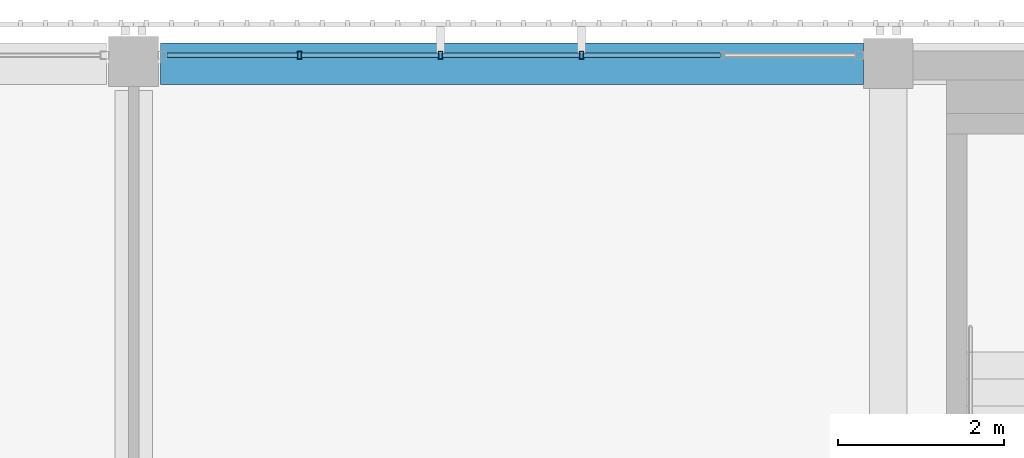
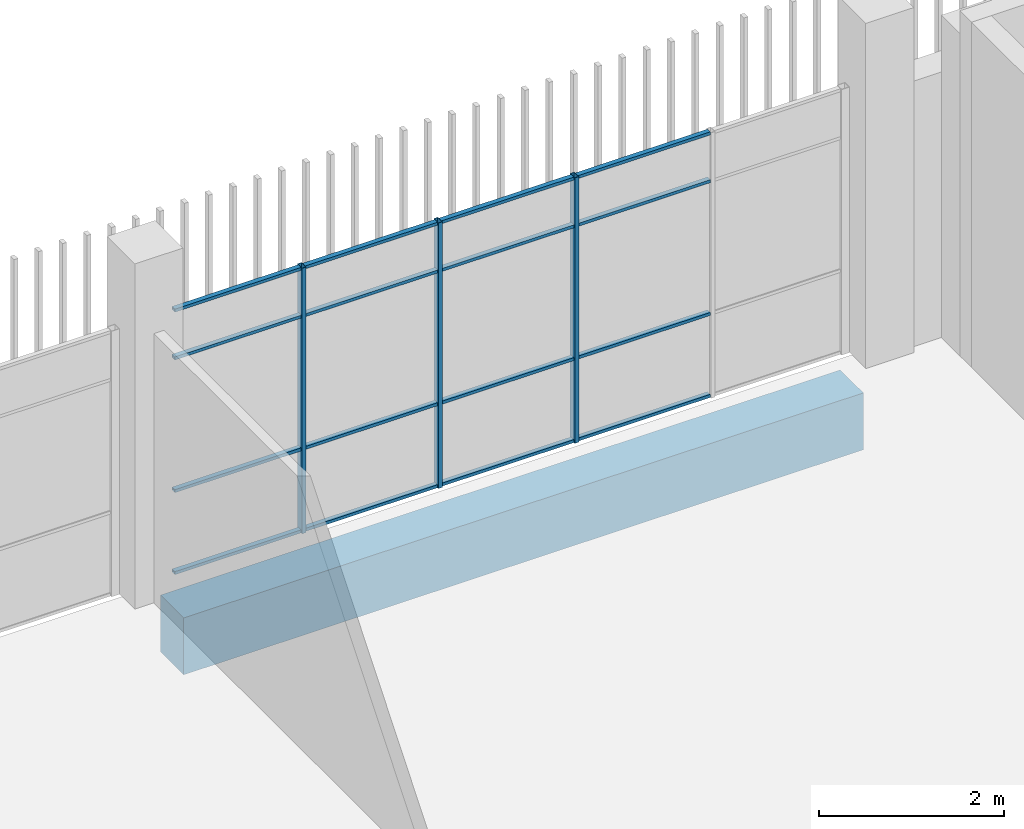
# One storey, part 37 of 126: 19 members, 1 beam, 1 element without a shape of its own.
"""IFC4 building model written with IfcOpenShell, lengths in metres."""

from ifc_helpers import new_model, si_unit, direction, frame, origin, origin_2d, place, context, subcontext, project, spatial, rectangle, hollow_rectangle, extrude, material, layer, layer_set, material_profile, profile_set, type_object, element, aggregate, save


model = new_model("IFC4")

# Units and contexts
model_context = context("Model", 3, precision=1e-05, world=origin(), true_north=direction((0.0, 1.0)))
body_context = subcontext(model_context, "Body", "Model", "MODEL_VIEW")
ifc_project = project(units=[si_unit("LENGTHUNIT", "METRE"), si_unit("AREAUNIT", "SQUARE_METRE"), si_unit("VOLUMEUNIT", "CUBIC_METRE"), si_unit("PLANEANGLEUNIT", "RADIAN"), si_unit("MASSUNIT", "GRAM", prefix="KILO")], contexts=[model_context])

# Site, building, storey
site_placement = place(None, origin())
site = spatial("IfcSite", under=ifc_project, at=site_placement, CompositionType="ELEMENT")
building_placement = place(site_placement, origin())
building = spatial("IfcBuilding", under=site, at=building_placement, Name="Shirokan Park Arena", CompositionType="ELEMENT")
storey_placement = place(building_placement, frame((0.0, 0.0, 6.3701171875)))
storey = spatial("IfcBuildingStorey", under=building, at=storey_placement, Name="L01", CompositionType="ELEMENT", Elevation=6.3701171875)

# Curtain wall, members
ifc_material_1 = material(Name="Steel and glass curtain wall", Category="steel")
ifc_layer = layer(ifc_material_1, 0.10009765625)
ifc_layer_set = layer_set([ifc_layer], Name="Steel and glass curtain wall 100 mm")
curtain_wall_type = type_object("IfcCurtainWallType", Name="Curtain wall sheltered bay 100", PredefinedType="NOTDEFINED", material=ifc_layer_set)
curtain_wall_placement = place(storey_placement, origin())
curtain_wall = element("IfcCurtainWall", 1, at=curtain_wall_placement, inside=storey, type_object=curtain_wall_type, Name="Curtain wall north bay 8 L01", PredefinedType="NOTDEFINED")
ifc_material_2 = material(Name="Steel S355", Category="steel")
ifc_material_profile_1 = material_profile(ifc_material_2, hollow_rectangle(XDim=0.10009765625, YDim=0.050048828125, WallThickness=0.0048828125, at=origin_2d()), Name="RHS 100x50x5")
ifc_profile_set_1 = profile_set([ifc_material_profile_1], Name="Steel S355")
member_type_1 = type_object("IfcMemberType", Name="Mullion RHS 100x50x5", PredefinedType="MULLION", material=ifc_profile_set_1)
member_1_placement = place(storey_placement, frame((78.199951171875, 109.300048828125, 0.0), z_axis=(0.0, 0.0, 1.0), x_axis=(0.0, -1.0, 0.0)))
member_1 = element("IfcMember", 2, at=member_1_placement, type_object=member_type_1, Name="CW2 mullion 3", PredefinedType="MULLION", context=body_context, shape_type="SweptSolid", body=[
    extrude(hollow_rectangle(XDim=0.10009765625, YDim=0.050048828125, WallThickness=0.0048828125, at=origin_2d()), origin(), (0.0, 0.0, 1.0), 3.5),
])
member_2_placement = place(storey_placement, frame((76.5, 109.300048828125, 0.0), z_axis=(0.0, 0.0, 1.0), x_axis=(0.0, -1.0, 0.0)))
member_2 = element("IfcMember", 3, at=member_2_placement, type_object=member_type_1, Name="CW2 mullion 4", PredefinedType="MULLION", context=body_context, shape_type="SweptSolid", body=[
    extrude(hollow_rectangle(XDim=0.10009765625, YDim=0.050048828125, WallThickness=0.0048828125, at=origin_2d()), origin(), (0.0, 0.0, 1.0), 3.5),
])
member_3_placement = place(storey_placement, frame((74.800048828125, 109.300048828125, 0.0), z_axis=(0.0, 0.0, 1.0), x_axis=(0.0, -1.0, 0.0)))
member_3 = element("IfcMember", 4, at=member_3_placement, type_object=member_type_1, Name="CW2 mullion 5", PredefinedType="MULLION", context=body_context, shape_type="SweptSolid", body=[
    extrude(hollow_rectangle(XDim=0.10009765625, YDim=0.050048828125, WallThickness=0.0048828125, at=origin_2d()), origin(), (0.0, 0.0, 1.0), 3.5),
])

# Beam
ifc_material_3 = material(Name="Concrete C35", Category="concrete")
ifc_material_profile_2 = material_profile(ifc_material_3, rectangle(XDim=0.5, YDim=0.75, at=origin_2d()), Name="500x750")
ifc_profile_set_2 = profile_set([ifc_material_profile_2], Name="Concrete C35")
beam_type = type_object("IfcBeamType", Name="RC girder 500x750", PredefinedType="BEAM", material=ifc_profile_set_2)
beam_placement = place(storey_placement, frame((73.125, 109.199951171875, -0.72509765625), z_axis=(1.0, 0.0, 0.0), x_axis=(0.0, 1.0, 0.0)))
element("IfcBeam", 5, at=beam_placement, inside=storey, type_object=beam_type, Name="Girder 9N-10N L01", PredefinedType="BEAM", context=body_context, shape_type="SweptSolid", body=[
    extrude(rectangle(XDim=0.5, YDim=0.75, at=origin_2d()), origin(), (0.0, 0.0, 1.0), 8.474853515625),
])

# Member
ifc_material_profile_3 = material_profile(ifc_material_2, hollow_rectangle(XDim=0.06005859375, YDim=0.0400390625, WallThickness=0.00390625, at=origin_2d()), Name="RHS 60x40x4")
ifc_profile_set_3 = profile_set([ifc_material_profile_3], Name="Steel S355")
member_type_2 = type_object("IfcMemberType", Name="Transom RHS 60x40x4", PredefinedType="MULLION", material=ifc_profile_set_3)
member_4_placement = place(storey_placement, frame((79.875, 109.300048828125, 0.019775390625), z_axis=(-1.0, 0.0, 0.0), x_axis=(0.0, -1.0, 0.0)))
member_4 = element("IfcMember", 6, at=member_4_placement, type_object=member_type_2, Name="CW2 transom 2.1", PredefinedType="MULLION", context=body_context, shape_type="SweptSolid", body=[
    extrude(hollow_rectangle(XDim=0.06005859375, YDim=0.0400390625, WallThickness=0.00390625, at=origin_2d()), origin(), (0.0, 0.0, 1.0), 1.64990234375),
])

member_5_placement = place(storey_placement, frame((79.875, 109.300048828125, 1.099853515625), z_axis=(-1.0, 0.0, 0.0), x_axis=(0.0, -1.0, 0.0)))
member_5 = element("IfcMember", 7, at=member_5_placement, type_object=member_type_2, Name="CW2 transom 2.2", PredefinedType="MULLION", context=body_context, shape_type="SweptSolid", body=[
    extrude(hollow_rectangle(XDim=0.06005859375, YDim=0.0400390625, WallThickness=0.00390625, at=origin_2d()), origin(), (0.0, 0.0, 1.0), 1.64990234375),
])

member_6_placement = place(storey_placement, frame((79.875, 109.300048828125, 2.849853515625), z_axis=(-1.0, 0.0, 0.0), x_axis=(0.0, -1.0, 0.0)))
member_6 = element("IfcMember", 8, at=member_6_placement, type_object=member_type_2, Name="CW2 transom 2.3", PredefinedType="MULLION", context=body_context, shape_type="SweptSolid", body=[
    extrude(hollow_rectangle(XDim=0.06005859375, YDim=0.0400390625, WallThickness=0.00390625, at=origin_2d()), origin(), (0.0, 0.0, 1.0), 1.64990234375),
])

member_7_placement = place(storey_placement, frame((79.875, 109.300048828125, 3.47998046875), z_axis=(-1.0, 0.0, 0.0), x_axis=(0.0, -1.0, 0.0)))
member_7 = element("IfcMember", 9, at=member_7_placement, type_object=member_type_2, Name="CW2 transom 2.4", PredefinedType="MULLION", context=body_context, shape_type="SweptSolid", body=[
    extrude(hollow_rectangle(XDim=0.06005859375, YDim=0.0400390625, WallThickness=0.00390625, at=origin_2d()), origin(), (0.0, 0.0, 1.0), 1.64990234375),
])

member_8_placement = place(storey_placement, frame((78.175048828125, 109.300048828125, 0.019775390625), z_axis=(-1.0, 0.0, 0.0), x_axis=(0.0, -1.0, 0.0)))
member_8 = element("IfcMember", 10, at=member_8_placement, type_object=member_type_2, Name="CW2 transom 3.1", PredefinedType="MULLION", context=body_context, shape_type="SweptSolid", body=[
    extrude(hollow_rectangle(XDim=0.06005859375, YDim=0.0400390625, WallThickness=0.00390625, at=origin_2d()), origin(), (0.0, 0.0, 1.0), 1.650146484375),
])

member_9_placement = place(storey_placement, frame((78.175048828125, 109.300048828125, 1.099853515625), z_axis=(-1.0, 0.0, 0.0), x_axis=(0.0, -1.0, 0.0)))
member_9 = element("IfcMember", 11, at=member_9_placement, type_object=member_type_2, Name="CW2 transom 3.2", PredefinedType="MULLION", context=body_context, shape_type="SweptSolid", body=[
    extrude(hollow_rectangle(XDim=0.06005859375, YDim=0.0400390625, WallThickness=0.00390625, at=origin_2d()), origin(), (0.0, 0.0, 1.0), 1.650146484375),
])

member_10_placement = place(storey_placement, frame((78.175048828125, 109.300048828125, 2.849853515625), z_axis=(-1.0, 0.0, 0.0), x_axis=(0.0, -1.0, 0.0)))
member_10 = element("IfcMember", 12, at=member_10_placement, type_object=member_type_2, Name="CW2 transom 3.3", PredefinedType="MULLION", context=body_context, shape_type="SweptSolid", body=[
    extrude(hollow_rectangle(XDim=0.06005859375, YDim=0.0400390625, WallThickness=0.00390625, at=origin_2d()), origin(), (0.0, 0.0, 1.0), 1.650146484375),
])

member_11_placement = place(storey_placement, frame((78.175048828125, 109.300048828125, 3.47998046875), z_axis=(-1.0, 0.0, 0.0), x_axis=(0.0, -1.0, 0.0)))
member_11 = element("IfcMember", 13, at=member_11_placement, type_object=member_type_2, Name="CW2 transom 3.4", PredefinedType="MULLION", context=body_context, shape_type="SweptSolid", body=[
    extrude(hollow_rectangle(XDim=0.06005859375, YDim=0.0400390625, WallThickness=0.00390625, at=origin_2d()), origin(), (0.0, 0.0, 1.0), 1.650146484375),
])

member_12_placement = place(storey_placement, frame((76.47509765625, 109.300048828125, 0.019775390625), z_axis=(-1.0, 0.0, 0.0), x_axis=(0.0, -1.0, 0.0)))
member_12 = element("IfcMember", 14, at=member_12_placement, type_object=member_type_2, Name="CW2 transom 4.1", PredefinedType="MULLION", context=body_context, shape_type="SweptSolid", body=[
    extrude(hollow_rectangle(XDim=0.06005859375, YDim=0.0400390625, WallThickness=0.00390625, at=origin_2d()), origin(), (0.0, 0.0, 1.0), 1.650146484375),
])

member_13_placement = place(storey_placement, frame((76.47509765625, 109.300048828125, 1.099853515625), z_axis=(-1.0, 0.0, 0.0), x_axis=(0.0, -1.0, 0.0)))
member_13 = element("IfcMember", 15, at=member_13_placement, type_object=member_type_2, Name="CW2 transom 4.2", PredefinedType="MULLION", context=body_context, shape_type="SweptSolid", body=[
    extrude(hollow_rectangle(XDim=0.06005859375, YDim=0.0400390625, WallThickness=0.00390625, at=origin_2d()), origin(), (0.0, 0.0, 1.0), 1.650146484375),
])

member_14_placement = place(storey_placement, frame((76.47509765625, 109.300048828125, 2.849853515625), z_axis=(-1.0, 0.0, 0.0), x_axis=(0.0, -1.0, 0.0)))
member_14 = element("IfcMember", 16, at=member_14_placement, type_object=member_type_2, Name="CW2 transom 4.3", PredefinedType="MULLION", context=body_context, shape_type="SweptSolid", body=[
    extrude(hollow_rectangle(XDim=0.06005859375, YDim=0.0400390625, WallThickness=0.00390625, at=origin_2d()), origin(), (0.0, 0.0, 1.0), 1.650146484375),
])

member_15_placement = place(storey_placement, frame((76.47509765625, 109.300048828125, 3.47998046875), z_axis=(-1.0, 0.0, 0.0), x_axis=(0.0, -1.0, 0.0)))
member_15 = element("IfcMember", 17, at=member_15_placement, type_object=member_type_2, Name="CW2 transom 4.4", PredefinedType="MULLION", context=body_context, shape_type="SweptSolid", body=[
    extrude(hollow_rectangle(XDim=0.06005859375, YDim=0.0400390625, WallThickness=0.00390625, at=origin_2d()), origin(), (0.0, 0.0, 1.0), 1.650146484375),
])

member_16_placement = place(storey_placement, frame((74.77490234375, 109.300048828125, 0.019775390625), z_axis=(-1.0, 0.0, 0.0), x_axis=(0.0, -1.0, 0.0)))
member_16 = element("IfcMember", 18, at=member_16_placement, type_object=member_type_2, Name="CW2 transom 5.1", PredefinedType="MULLION", context=body_context, shape_type="SweptSolid", body=[
    extrude(hollow_rectangle(XDim=0.06005859375, YDim=0.0400390625, WallThickness=0.00390625, at=origin_2d()), origin(), (0.0, 0.0, 1.0), 1.574951171875),
])

member_17_placement = place(storey_placement, frame((74.77490234375, 109.300048828125, 1.099853515625), z_axis=(-1.0, 0.0, 0.0), x_axis=(0.0, -1.0, 0.0)))
member_17 = element("IfcMember", 19, at=member_17_placement, type_object=member_type_2, Name="CW2 transom 5.2", PredefinedType="MULLION", context=body_context, shape_type="SweptSolid", body=[
    extrude(hollow_rectangle(XDim=0.06005859375, YDim=0.0400390625, WallThickness=0.00390625, at=origin_2d()), origin(), (0.0, 0.0, 1.0), 1.574951171875),
])

member_18_placement = place(storey_placement, frame((74.77490234375, 109.300048828125, 2.849853515625), z_axis=(-1.0, 0.0, 0.0), x_axis=(0.0, -1.0, 0.0)))
member_18 = element("IfcMember", 20, at=member_18_placement, type_object=member_type_2, Name="CW2 transom 5.3", PredefinedType="MULLION", context=body_context, shape_type="SweptSolid", body=[
    extrude(hollow_rectangle(XDim=0.06005859375, YDim=0.0400390625, WallThickness=0.00390625, at=origin_2d()), origin(), (0.0, 0.0, 1.0), 1.574951171875),
])

member_19_placement = place(storey_placement, frame((74.77490234375, 109.300048828125, 3.47998046875), z_axis=(-1.0, 0.0, 0.0), x_axis=(0.0, -1.0, 0.0)))
member_19 = element("IfcMember", 21, at=member_19_placement, type_object=member_type_2, Name="CW2 transom 5.4", PredefinedType="MULLION", context=body_context, shape_type="SweptSolid", body=[
    extrude(hollow_rectangle(XDim=0.06005859375, YDim=0.0400390625, WallThickness=0.00390625, at=origin_2d()), origin(), (0.0, 0.0, 1.0), 1.574951171875),
])

aggregate(curtain_wall, [member_1, member_2, member_3, member_4, member_5, member_6, member_7, member_8, member_9, member_10, member_11, member_12, member_13, member_14, member_15, member_16, member_17, member_18, member_19])

save(model, "model.ifc")
